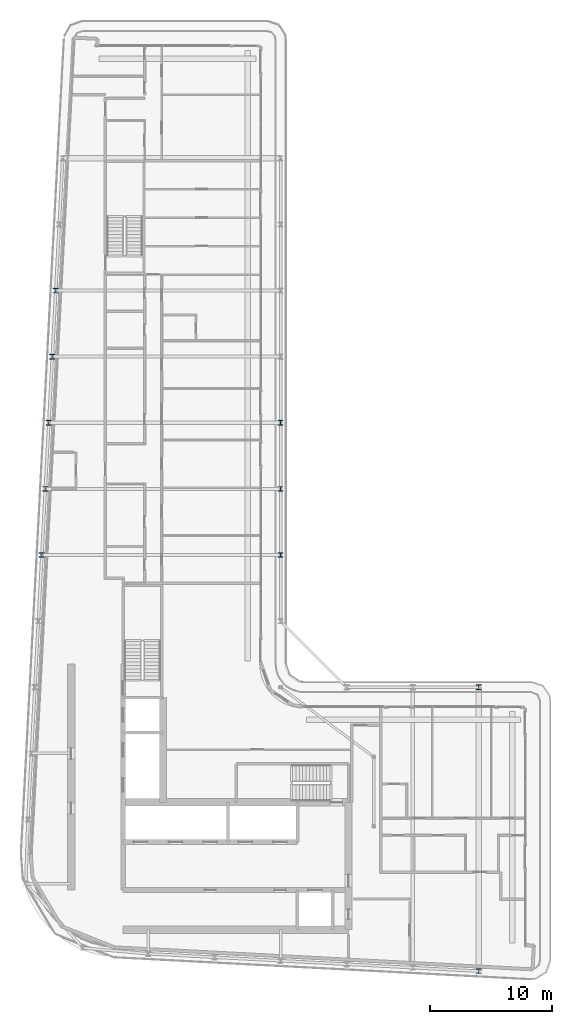
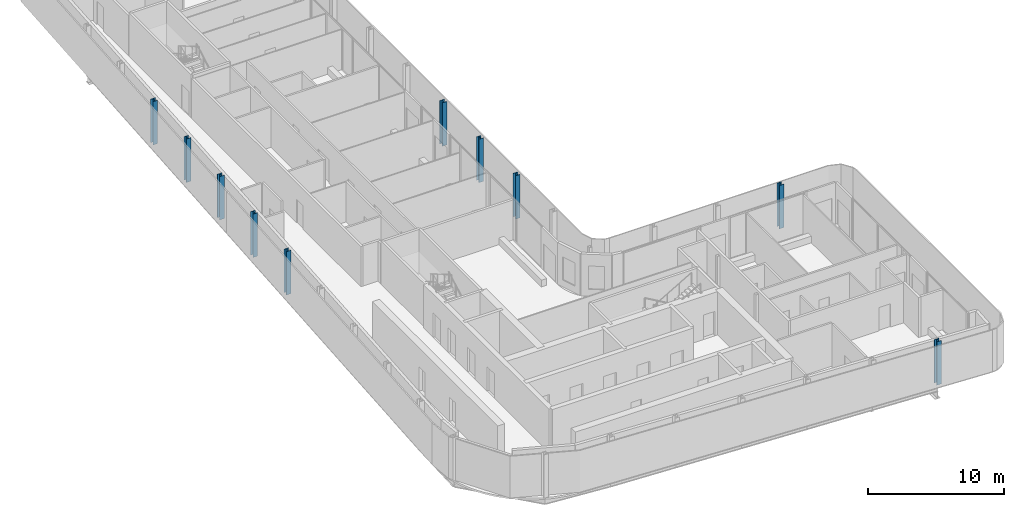
# One storey, part 3 of 21: 10 columns.
"""IFC4 building model written with IfcOpenShell, lengths in metres."""

import ifcopenshell
import ifcopenshell.guid

model = None  # the IFC model being written
_history = None  # IfcOwnerHistory: only IFC2X3 demands one
_inside = {}  # id of a spatial element -> (the spatial element, [elements in it])
_under = {}  # id of a project, library or spatial element -> (it, [spatial elements below it])
_declared = {}  # id of a project -> (the project, [libraries it declares])
_typed = {}  # id of a type object -> (the type object, [elements of that type])
_made_of = {}  # id of a material, layer set ... -> (it, [elements and type objects made of it])


def new_model(schema):
    """Start an empty IFC model of exactly this schema.

    Asked for "IFC4X3", IfcOpenShell would pick the latest addendum, in which some entities
    have other attributes; the version numbers below select the first issue.
    IFC2X3 requires an IfcOwnerHistory on every rooted entity: one is made here for all.
    """
    global model, _history
    if schema == "IFC4X3":
        model = ifcopenshell.file(schema_version=(4, 3, 0, 0))
    else:
        model = ifcopenshell.file(schema=schema)
    _inside.clear()
    _under.clear()
    _declared.clear()
    _typed.clear()
    _made_of.clear()
    _history = None
    if model.schema == "IFC2X3":
        org = make("IfcOrganization", Name="unknown")
        user = make(
            "IfcPersonAndOrganization",
            ThePerson=make("IfcPerson", FamilyName="unknown"),
            TheOrganization=org,
        )
        app = make(
            "IfcApplication",
            ApplicationDeveloper=org,
            Version="unknown",
            ApplicationFullName="unknown",
            ApplicationIdentifier="unknown",
        )
        _history = make(
            "IfcOwnerHistory",
            OwningUser=user,
            OwningApplication=app,
            ChangeAction="ADDED",
            CreationDate=0,
        )
    return model


def make(cls, **values):
    """One entity of the class cls with the attributes given. An attribute that is None is left unset."""
    return model.create_entity(
        cls, **{name: value for name, value in values.items() if value is not None}
    )


def rooted(cls, **values):
    """An entity with a GlobalId (a new one), such as an element, a storey or a relation."""
    return make(cls, GlobalId=ifcopenshell.guid.new(), OwnerHistory=_history, **values)


def si_unit(unit_type, name, prefix=None):
    """IfcSIUnit, for example si_unit("LENGTHUNIT", "METRE", prefix="MILLI")."""
    return make("IfcSIUnit", UnitType=unit_type, Prefix=prefix, Name=name)


def assignment(units):
    """IfcUnitAssignment: the units of a project."""
    return None if units is None else make("IfcUnitAssignment", Units=units)


def point(xyz):
    """IfcCartesianPoint."""
    return None if xyz is None else make("IfcCartesianPoint", Coordinates=xyz)


def direction(xyz):
    """IfcDirection."""
    return None if xyz is None else make("IfcDirection", DirectionRatios=xyz)


def frame(location, z_axis=None, x_axis=None):
    """IfcAxis2Placement3D, a coordinate frame: its origin and axes. An axis left out is left unset."""
    return make(
        "IfcAxis2Placement3D",
        Location=point(location),
        Axis=direction(z_axis),
        RefDirection=direction(x_axis),
    )


def frame_2d(location, x_axis=None):
    """IfcAxis2Placement2D, a coordinate frame in the plane: its origin and x axis."""
    return make(
        "IfcAxis2Placement2D", Location=point(location), RefDirection=direction(x_axis)
    )


def origin():
    """The frame at (0, 0, 0) with its axes left unset."""
    return frame((0.0, 0.0, 0.0))


def origin_2d():
    """The frame at (0, 0) in the plane with its x axis left unset."""
    return frame_2d((0.0, 0.0))


def place(relative_to, where):
    """IfcLocalPlacement: puts the frame where relative to a parent placement (None: the world)."""
    return make(
        "IfcLocalPlacement", PlacementRelTo=relative_to, RelativePlacement=where
    )


def context(
    kind, dimensions, precision=None, world=None, true_north=None, identifier=None
):
    """IfcGeometricRepresentationContext, for example the 3D "Model" context."""
    return make(
        "IfcGeometricRepresentationContext",
        ContextIdentifier=identifier,
        ContextType=kind,
        CoordinateSpaceDimension=dimensions,
        Precision=precision,
        WorldCoordinateSystem=world,
        TrueNorth=true_north,
    )


def subcontext(parent, identifier, kind, view, scale=None):
    """IfcGeometricRepresentationSubContext, for example "Body" below "Model"."""
    return make(
        "IfcGeometricRepresentationSubContext",
        ContextIdentifier=identifier,
        ContextType=kind,
        ParentContext=parent,
        TargetScale=scale,
        TargetView=view,
    )


def project(units=None, contexts=None):
    """IfcProject with its units and contexts."""
    return rooted(
        "IfcProject",
        Name="project",
        RepresentationContexts=contexts,
        UnitsInContext=assignment(units),
    )


def spatial(cls, under=None, at=None, **own):
    """A site, building, storey or space (cls), placed at a placement, below another one or the project."""
    s = rooted(cls, ObjectPlacement=at, **own)
    if under is not None:
        _under.setdefault(under.id(), (under, []))[1].append(s)
    return s


def profile(cls, at=None, kind="AREA", **sizes):
    """A parametric profile (cls). Its sizes go by their IFC names, for example OverallWidth=200.0."""
    return make(cls, ProfileType=kind, Position=at, **sizes)


def i_section(**sizes):
    """IfcIShapeProfileDef."""
    return profile("IfcIShapeProfileDef", **sizes)


def extrude(swept, where, along, depth):
    """IfcExtrudedAreaSolid: the profile swept, set in the frame where, extruded along a direction by depth."""
    return make(
        "IfcExtrudedAreaSolid",
        SweptArea=swept,
        Position=where,
        ExtrudedDirection=direction(along),
        Depth=depth,
    )


def shape(context_of_items, identifier, shape_type, items):
    """IfcShapeRepresentation: the items that make up one representation, for example the "Body"."""
    return make(
        "IfcShapeRepresentation",
        ContextOfItems=context_of_items,
        RepresentationIdentifier=identifier,
        RepresentationType=shape_type,
        Items=items,
    )


def material(Name=None, Category=None):
    """IfcMaterial."""
    return make("IfcMaterial", Name=Name, Category=Category)


def material_profile(
    of_material, cross_section, Name=None, Category=None, Priority=None
):
    """IfcMaterialProfile: a cross section and its material."""
    return make(
        "IfcMaterialProfile",
        Name=Name,
        Material=of_material,
        Profile=cross_section,
        Priority=Priority,
        Category=Category,
    )


def profile_set(profiles, Name=None, composite=None):
    """IfcMaterialProfileSet."""
    return make(
        "IfcMaterialProfileSet",
        Name=Name,
        MaterialProfiles=profiles,
        CompositeProfile=composite,
    )


def made_of(thing, what):
    """Note that an element or type object is made of a material, layer set ...; save() writes the relation."""
    if what is not None:
        _made_of.setdefault(what.id(), (what, []))[1].append(thing)
    return thing


def type_object(cls, material=None, **own):
    """A type object (cls), such as IfcWallType, which elements share."""
    return made_of(rooted(cls, **own), material)


def element(
    cls,
    number,
    at=None,
    inside=None,
    cuts=None,
    type_object=None,
    material=None,
    context=None,
    identifier="Body",
    shape_type=None,
    held_by="IfcProductDefinitionShape",
    body=None,
    shapes=None,
    **own,
):
    """One element of the class cls, such as IfcWall. Its Tag is "e" and its number.

    at: its placement. inside: the storey or other place that contains it. cuts: it is an
    opening in that element (IfcRelVoidsElement). A single representation is given by context,
    identifier, shape_type and body (its items); several are given by shapes. held_by: the class
    of the entity that holds the representations. save() writes the other relations.
    """
    e = rooted(cls, Tag="e%d" % number, ObjectPlacement=at, **own)
    if body is not None:
        shapes = [shape(context, identifier, shape_type, body)]
    if shapes is not None:
        e.Representation = make(held_by, Representations=shapes)
    if inside is not None:
        _inside.setdefault(inside.id(), (inside, []))[1].append(e)
    if cuts is not None:
        rooted(
            "IfcRelVoidsElement", RelatingBuildingElement=cuts, RelatedOpeningElement=e
        )
    if type_object is not None:
        _typed.setdefault(type_object.id(), (type_object, []))[1].append(e)
    return made_of(e, material)


def aggregate(whole, parts):
    """IfcRelAggregates: a whole, such as a stair, and the parts it consists of."""
    return rooted("IfcRelAggregates", RelatingObject=whole, RelatedObjects=parts)


def save(model, path):
    """Write the relations noted so far, then the file.

    IfcRelAggregates (storeys below a building ...), IfcRelContainedInSpatialStructure (elements
    in a storey), IfcRelDefinesByType, IfcRelAssociatesMaterial and IfcRelDeclares: one each for
    every whole, place, type object, material and project.
    """
    for whole, parts in _under.values():
        aggregate(whole, parts)
    for where, things in _inside.values():
        rooted(
            "IfcRelContainedInSpatialStructure",
            RelatedElements=things,
            RelatingStructure=where,
        )
    for kind, things in _typed.values():
        rooted("IfcRelDefinesByType", RelatedObjects=things, RelatingType=kind)
    for what, things in _made_of.values():
        rooted("IfcRelAssociatesMaterial", RelatedObjects=things, RelatingMaterial=what)
    for by, libraries in _declared.values():
        rooted("IfcRelDeclares", RelatingContext=by, RelatedDefinitions=libraries)
    model.write(path)


model = new_model("IFC4")

# Units and contexts
model_context = context("Model", 3, precision=1e-05, world=origin(), true_north=direction((0.0, 1.0)))
body_context = subcontext(model_context, "Body", "Model", "MODEL_VIEW")
ifc_project = project(units=[si_unit("LENGTHUNIT", "METRE"), si_unit("AREAUNIT", "SQUARE_METRE"), si_unit("VOLUMEUNIT", "CUBIC_METRE"), si_unit("PLANEANGLEUNIT", "RADIAN"), si_unit("MASSUNIT", "GRAM", prefix="KILO")], contexts=[model_context])

# Site, building, storey
site_placement = place(None, origin())
site = spatial("IfcSite", under=ifc_project, at=site_placement, CompositionType="ELEMENT")
building_placement = place(site_placement, origin())
building = spatial("IfcBuilding", under=site, at=building_placement, Name="Kheshtan School and Residences Tower", CompositionType="ELEMENT")
storey_placement = place(building_placement, frame((0.0, 0.0, 321.5)))
storey = spatial("IfcBuildingStorey", under=building, at=storey_placement, Name="L76", CompositionType="ELEMENT", Elevation=321.5)

# Columns
ifc_material = material(Name="Steel ASTM A992 Grade 50", Category="steel")
ifc_material_profile = material_profile(ifc_material, i_section(OverallWidth=0.39501953125, OverallDepth=0.3798828125, WebThickness=0.018798828125, FlangeThickness=0.0302734375, FilletRadius=0.011474609375, at=origin_2d()), Name="W360x237")
ifc_profile_set = profile_set([ifc_material_profile], Name="Steel ASTM A992 Grade 50")
column_type = type_object("IfcColumnType", Name="Column C5 W360x237 ASTM A992 Grade 50", PredefinedType="COLUMN", material=ifc_profile_set)
for number, where, z_axis, x_axis, name in (
    (1, (63.800048828125, 22.410888671875, 0.0), (0.0, 0.0, 1.0), (1.0, 0.0, 0.0), "Column C016"),
    (2, (63.800048828125, 45.60009765625, 0.0), (0.0, 0.0, 1.0), (1.0, 0.0, 0.0), "Column C063"),
    (3, (28.10595703125, 56.39990234375, 0.0), (0.0, 0.0, 1.0), (1.0, 0.0, 0.0), "Column C080"),
    (4, (47.60009765625, 56.39990234375, 0.0), (0.0, 0.0, 1.0), (1.0, 0.0, 0.0), "Column C081"),
    (5, (28.389892578125, 61.800048828125, 0.0), (0.0, 0.0, 1.0), (1.0, 0.0, 0.0), "Column C082"),
    (6, (47.60009765625, 61.800048828125, 0.0), (0.0, 0.0, 1.0), (1.0, 0.0, 0.0), "Column C083"),
    (7, (28.674072265625, 67.199951171875, 0.0), (0.0, 0.0, 1.0), (1.0, 0.0, 0.0), "Column C084"),
    (8, (47.60009765625, 67.199951171875, 0.0), (0.0, 0.0, 1.0), (1.0, 0.0, 0.0), "Column C085"),
    (9, (28.9580078125, 72.60009765625, 0.0), (0.0, 0.0, 1.0), (1.0, 0.0, 0.0), "Column C086"),
    (10, (29.242919921875, 78.0, 0.0), (0.0, 0.0, 1.0), (1.0, 0.0, 0.0), "Column C088"),
):
    element("IfcColumn", number, at=place(storey_placement, frame(where, z_axis=z_axis, x_axis=x_axis)), inside=storey, type_object=column_type, Name=name, PredefinedType="COLUMN", context=body_context, shape_type="SweptSolid", body=[
        extrude(i_section(OverallWidth=0.39501953125, OverallDepth=0.3798828125, WebThickness=0.018798828125, FlangeThickness=0.0302734375, FilletRadius=0.011474609375, at=origin_2d()), origin(), (0.0, 0.0, 1.0), 3.89990234375),
    ])

save(model, "model.ifc")
